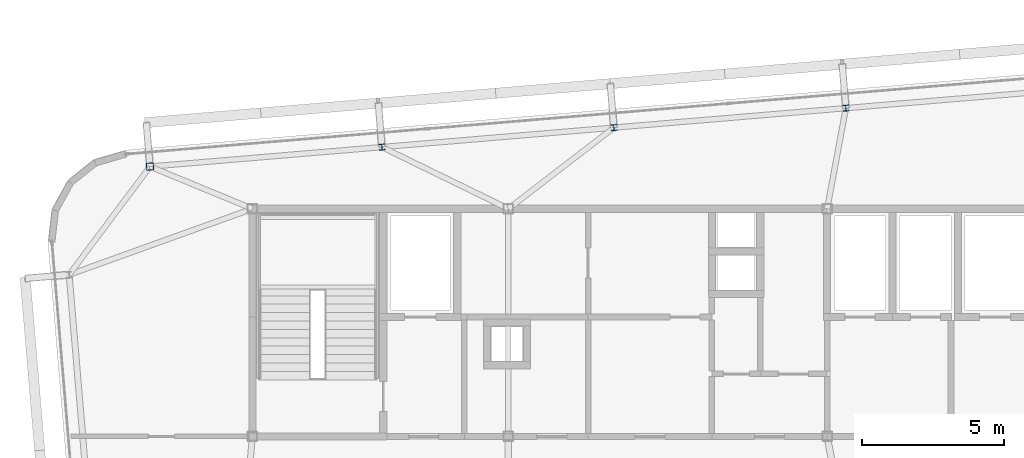
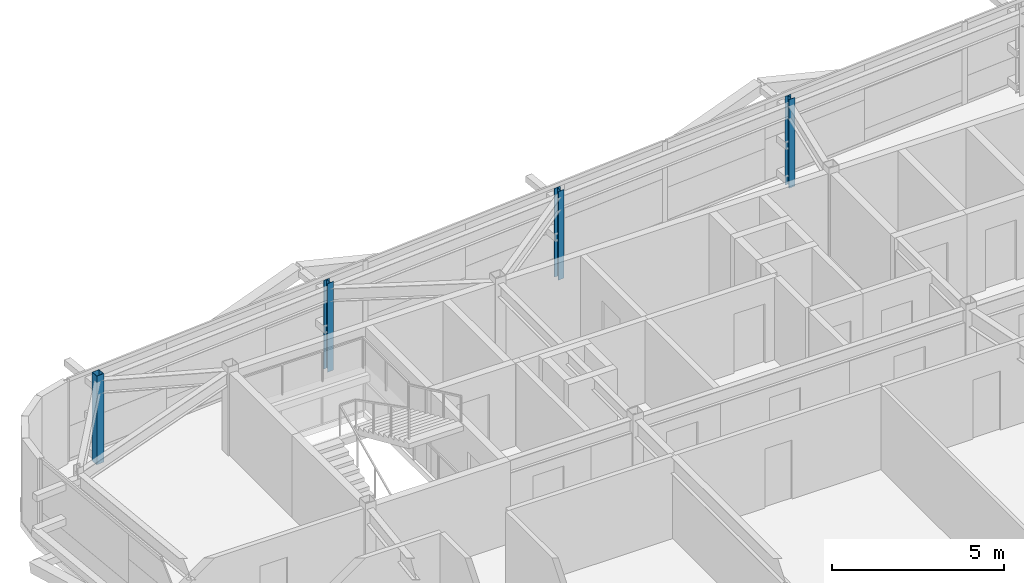
# One storey, part 5 of 39: 4 columns.
"""IFC4 building model written with IfcOpenShell, lengths in metres."""

from ifc_helpers import new_model, si_unit, direction, frame, origin, origin_2d, place, context, subcontext, project, spatial, hollow_rectangle, i_section, extrude, source, transform, mapped, material, material_profile, profile_set, type_object, element, save


model = new_model("IFC4")

# Units and contexts
model_context = context("Model", 3, precision=1e-05, world=origin(), true_north=direction((0.0, 1.0)))
body_context = subcontext(model_context, "Body", "Model", "MODEL_VIEW")
ifc_project = project(units=[si_unit("LENGTHUNIT", "METRE"), si_unit("AREAUNIT", "SQUARE_METRE"), si_unit("VOLUMEUNIT", "CUBIC_METRE"), si_unit("PLANEANGLEUNIT", "RADIAN"), si_unit("MASSUNIT", "GRAM", prefix="KILO")], contexts=[model_context])

# Site, building, storey
site_placement = place(None, origin())
site = spatial("IfcSite", under=ifc_project, at=site_placement, CompositionType="ELEMENT")
building_placement = place(site_placement, origin())
building = spatial("IfcBuilding", under=site, at=building_placement, Name="Taldren Reach Tower", CompositionType="ELEMENT")
storey_placement = place(building_placement, frame((0.0, 0.0, 178.85009765625)))
storey = spatial("IfcBuildingStorey", under=building, at=storey_placement, Name="L54", CompositionType="ELEMENT", Elevation=178.85009765625)

# Columns
ifc_material_1 = material(Name="Steel Gr 350 (C350L0)", Category="steel")
ifc_material_profile_1 = material_profile(ifc_material_1, hollow_rectangle(XDim=0.25, YDim=0.25, WallThickness=0.010009765625, at=origin_2d()), Name="250x250x10.0SHS")
ifc_profile_set_1 = profile_set([ifc_material_profile_1], Name="Steel Gr 350 (C350L0)")
column_type_1 = type_object("IfcColumnType", Name="COL-SHS250", PredefinedType="COLUMN", material=ifc_profile_set_1)
shared_shape_1 = source(origin(), body_context, "Body", "SweptSolid", [
    extrude(hollow_rectangle(XDim=0.25, YDim=0.25, WallThickness=0.010009765625, at=origin_2d()), origin(), (0.0, 0.0, 1.0), 3.14990234375),
])
column_placement = place(storey_placement, frame((15.40380859375, 33.483642578125, 0.0), z_axis=(0.0, 0.0, 1.0), x_axis=(0.99649285925, 0.083677843332, 0.0)))
element("IfcColumn", 1, at=column_placement, inside=storey, type_object=column_type_1, Name="Block B4 perimeter column N1 L54", PredefinedType="COLUMN", context=body_context, shape_type="MappedRepresentation", body=[
    mapped(shared_shape_1, transform((0.0, 0.0, 0.0), scale=1.0)),
])
ifc_material_2 = material(Name="Steel Gr 350 (350PLUS)", Category="steel")
ifc_material_profile_2 = material_profile(ifc_material_2, i_section(OverallWidth=0.205078125, OverallDepth=0.2099609375, WebThickness=0.00927734375, FlangeThickness=0.01416015625, at=origin_2d()), Name="200UC59.5")
ifc_profile_set_2 = profile_set([ifc_material_profile_2], Name="Steel Gr 350 (350PLUS)")
column_type_2 = type_object("IfcColumnType", Name="COL-UC200", PredefinedType="COLUMN", material=ifc_profile_set_2)
shared_shape_2 = source(origin(), body_context, "Body", "SweptSolid", [
    extrude(i_section(OverallWidth=0.205078125, OverallDepth=0.2099609375, WebThickness=0.00927734375, FlangeThickness=0.01416015625, at=origin_2d()), origin(), (0.0, 0.0, 1.0), 3.14990234375),
])
for number, where, z_axis, x_axis, name in (
    (2, (23.55517578125, 34.16796875, 0.0), (0.0, 0.0, 1.0), (0.99649285925, 0.083677843332, 0.0), "Block B4 perimeter column N2 L54"),
    (3, (31.706298828125, 34.8525390625, 0.0), (0.0, 0.0, 1.0), (0.99649285925, 0.083677843332, 0.0), "Block B4 perimeter column N3 L54"),
    (4, (39.857666015625, 35.537109375, 0.0), (0.0, 0.0, 1.0), (0.99649285925, 0.083677843332, 0.0), "Block B4 perimeter column N4 L54"),
):
    element("IfcColumn", number, at=place(storey_placement, frame(where, z_axis=z_axis, x_axis=x_axis)), inside=storey, type_object=column_type_2, Name=name, PredefinedType="COLUMN", context=body_context, shape_type="MappedRepresentation", body=[
        mapped(shared_shape_2, transform((0.0, 0.0, 0.0), scale=1.0)),
    ])

save(model, "model.ifc")
